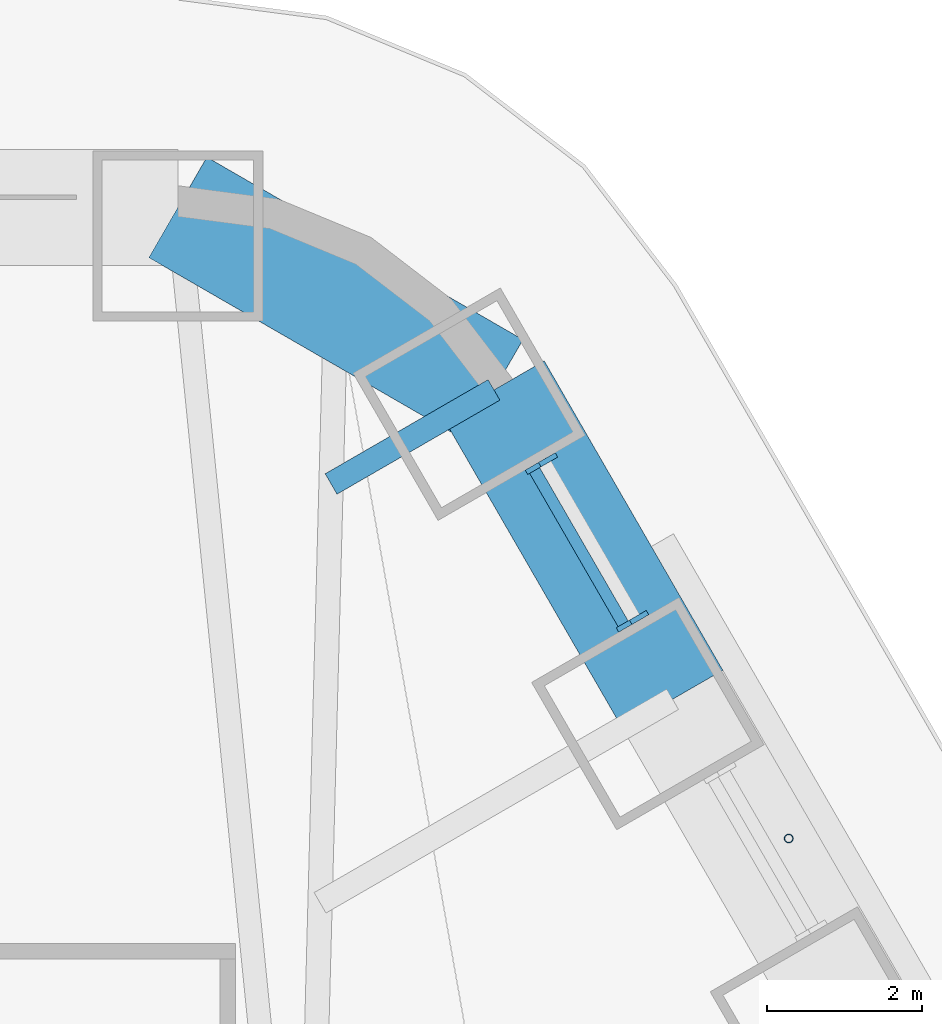
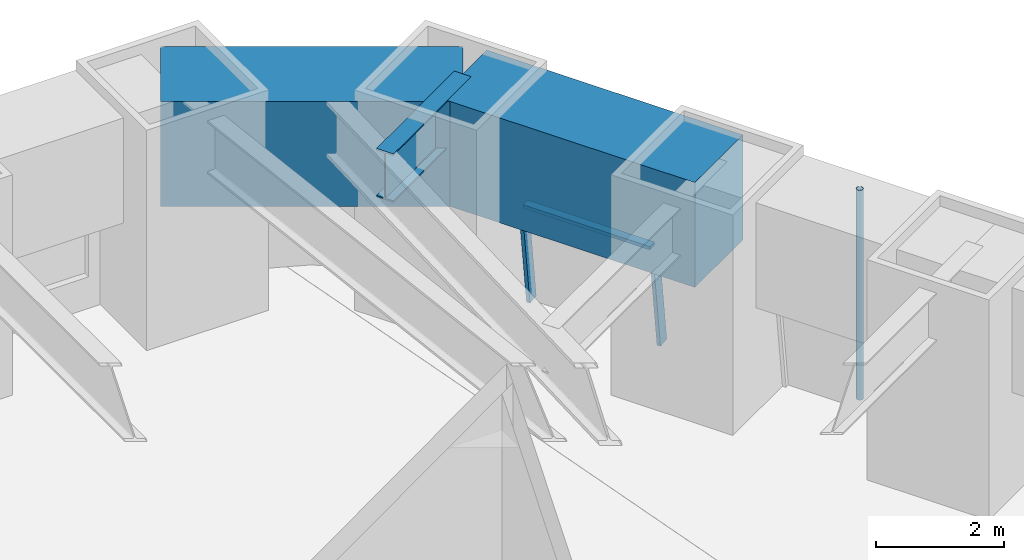
# One storey, part 12 of 20: 4 members, 3 beams, 1 element without a shape of its own.
"""IFC4 building model written with IfcOpenShell, lengths in metres."""

from ifc_helpers import new_model, si_unit, direction, frame, origin, origin_2d, place, context, subcontext, project, spatial, rectangle, hollow_circle, i_section, extrude, material, material_profile, profile_set, type_object, element, aggregate, save


model = new_model("IFC4")

# Units and contexts
model_context = context("Model", 3, precision=1e-05, world=origin(), true_north=direction((0.0, 1.0)))
body_context = subcontext(model_context, "Body", "Model", "MODEL_VIEW")
ifc_project = project(units=[si_unit("LENGTHUNIT", "METRE"), si_unit("AREAUNIT", "SQUARE_METRE"), si_unit("VOLUMEUNIT", "CUBIC_METRE"), si_unit("PLANEANGLEUNIT", "RADIAN"), si_unit("MASSUNIT", "GRAM", prefix="KILO")], contexts=[model_context])

# Site, building, storey
site_placement = place(None, origin())
site = spatial("IfcSite", under=ifc_project, at=site_placement, CompositionType="ELEMENT")
building_placement = place(site_placement, origin())
building = spatial("IfcBuilding", under=site, at=building_placement, Name="Tarfa Lantern Tower", CompositionType="ELEMENT")
storey_placement = place(building_placement, frame((0.0, 0.0, 215.5)))
storey = spatial("IfcBuildingStorey", under=building, at=storey_placement, Name="L48", CompositionType="ELEMENT", Elevation=215.5)

# Curtain wall, members
ifc_material_1 = material(Name="Aluminium framed curtain wall", Category="aluminium")
curtain_wall_type = type_object("IfcCurtainWallType", Name="CW3 CANTED GLAZING HIGH ZONE 2000", PredefinedType="USERDEFINED", material=ifc_material_1)
curtain_wall_placement = place(storey_placement, origin())
curtain_wall = element("IfcCurtainWall", 1, at=curtain_wall_placement, inside=storey, type_object=curtain_wall_type, Name="CW3 NE L48", ObjectType="CURTAIN WALL", PredefinedType="USERDEFINED")
ifc_material_2 = material(Name="Aluminium mullion", Category="aluminium")
ifc_material_profile_1 = material_profile(ifc_material_2, rectangle(XDim=0.06494140625, YDim=0.199951171875, at=origin_2d()), Name="AL MULLION 65x200")
ifc_profile_set_1 = profile_set([ifc_material_profile_1], Name="Aluminium mullion")
member_type_1 = type_object("IfcMemberType", Name="CWM1 MULLION 65x200", PredefinedType="MULLION", material=ifc_profile_set_1)
member_1_placement = place(storey_placement, frame((19.843017578125, 23.4306640625, 0.0), z_axis=(-0.107439978116, -0.062017213975, 0.992275423596), x_axis=(0.499919672301, -0.866071776036, 0.0)))
member_1 = element("IfcMember", 2, at=member_1_placement, type_object=member_type_1, Name="CW3 mullion 1", PredefinedType="MULLION", context=body_context, shape_type="SweptSolid", body=[
    extrude(rectangle(XDim=0.06494140625, YDim=0.199951171875, at=origin_2d()), origin(), (0.0, 0.0, 1.0), 2.015625),
])
member_2_placement = place(storey_placement, frame((18.666259765625, 25.46923828125, 0.0), z_axis=(-0.107439978116, -0.062017213975, 0.992275423596), x_axis=(0.499919672301, -0.866071776036, 0.0)))
member_2 = element("IfcMember", 3, at=member_2_placement, type_object=member_type_1, Name="CW3 mullion 2", PredefinedType="MULLION", context=body_context, shape_type="SweptSolid", body=[
    extrude(rectangle(XDim=0.06494140625, YDim=0.199951171875, at=origin_2d()), origin(), (0.0, 0.0, 1.0), 2.015625),
])
ifc_material_3 = material(Name="Aluminium transom", Category="aluminium")
ifc_material_profile_2 = material_profile(ifc_material_3, rectangle(XDim=0.14990234375, YDim=0.06494140625, at=origin_2d()), Name="AL TRANSOM 150x65")
ifc_profile_set_2 = profile_set([ifc_material_profile_2], Name="Aluminium transom")
member_type_2 = type_object("IfcMemberType", Name="CWT1 TRANSOM 150x65", PredefinedType="USERDEFINED", material=ifc_profile_set_2)
member_3_placement = place(storey_placement, frame((19.61376953125, 23.3359375, 1.967529296875), z_axis=(-0.499959451571, 0.866048813165, 0.0), x_axis=(-0.866048813165, -0.499959451571, 0.0)))
member_3 = element("IfcMember", 4, at=member_3_placement, type_object=member_type_2, Name="CW3 transom 1.2", ObjectType="TRANSOM", PredefinedType="USERDEFINED", context=body_context, shape_type="SweptSolid", body=[
    extrude(rectangle(XDim=0.14990234375, YDim=0.06494140625, at=origin_2d()), origin(), (0.0, 0.0, 1.0), 2.288818359375),
])
aggregate(curtain_wall, [member_1, member_2, member_3])

# Beams
ifc_material_4 = material(Name="Concrete C80/95", Category="concrete")
ifc_material_profile_3 = material_profile(ifc_material_4, rectangle(XDim=1.5, YDim=2.0, at=origin_2d()), Name="RC 1500x2000")
ifc_profile_set_3 = profile_set([ifc_material_profile_3], Name="Concrete C80/95")
beam_type_1 = type_object("IfcBeamType", Name="RB3 RC 1500x2000", PredefinedType="BEAM", material=ifc_profile_set_3)
beam_1_placement = place(storey_placement, frame((20.25341796875, 22.360107421875, 3.0), z_axis=(-0.499987836815, 0.866032426089, 0.0), x_axis=(-0.866032426089, -0.499987836815, 0.0)))
element("IfcBeam", 5, at=beam_1_placement, inside=storey, type_object=beam_type_1, Name="Edge beam NE5", PredefinedType="BEAM", context=body_context, shape_type="SweptSolid", body=[
    extrude(rectangle(XDim=1.5, YDim=2.0, at=origin_2d()), origin(), (0.0, 0.0, 1.0), 4.61865234375),
])
beam_2_placement = place(storey_placement, frame((17.944091796875, 26.360107421875, 3.0), z_axis=(-0.866038294681, 0.499977671647, 0.0), x_axis=(-0.499977671647, -0.866038294681, 0.0)))
element("IfcBeam", 6, at=beam_2_placement, inside=storey, type_object=beam_type_1, Name="Edge beam NE6", PredefinedType="BEAM", context=body_context, shape_type="SweptSolid", body=[
    extrude(rectangle(XDim=1.5, YDim=2.0, at=origin_2d()), origin(), (0.0, 0.0, 1.0), 4.719970703125),
])

# Member
ifc_material_5 = material(Name="Steel S355", Category="steel")
ifc_material_profile_4 = material_profile(ifc_material_5, hollow_circle(Radius=0.05712890625, WallThickness=0.00634765625, at=origin_2d()), Name="CHS114.3x6.3")
ifc_profile_set_4 = profile_set([ifc_material_profile_4], Name="Steel S355")
member_type_3 = type_object("IfcMemberType", Name="TR1 GREEN WALL TRELLIS CHS114.3x6.3", PredefinedType="USERDEFINED", material=ifc_profile_set_4)
member_4_placement = place(storey_placement, frame((21.754638671875, 20.56005859375, 0.0), z_axis=(0.0, 0.0, 1.0), x_axis=(1.0, 0.0, 0.0)))
element("IfcMember", 7, at=member_4_placement, inside=storey, type_object=member_type_3, Name="Trellis post NE 2", ObjectType="TRELLIS", PredefinedType="USERDEFINED", context=body_context, shape_type="SweptSolid", body=[
    extrude(hollow_circle(Radius=0.05712890625, WallThickness=0.00634765625, at=origin_2d()), origin(), (0.0, 0.0, 1.0), 4.0),
])

# Beam
ifc_material_6 = material(Name="Steel S460M", Category="steel")
ifc_material_profile_5 = material_profile(ifc_material_6, i_section(OverallWidth=0.305419921875, OverallDepth=0.91845703125, WebThickness=0.017333984375, FlangeThickness=0.02783203125, FilletRadius=0.01904296875, at=origin_2d()), Name="UB914x305x253")
ifc_profile_set_5 = profile_set([ifc_material_profile_5], Name="Steel S460M")
beam_type_2 = type_object("IfcBeamType", Name="UB914x305x253", PredefinedType="BEAM", material=ifc_profile_set_5)
beam_3_placement = place(storey_placement, frame((17.944091796875, 26.360107421875, 3.540771484375), z_axis=(-0.865980009423, -0.5000786171, 0.0), x_axis=(0.5000786171, -0.865980009423, 0.0)))
element("IfcBeam", 8, at=beam_3_placement, inside=storey, type_object=beam_type_2, Name="Floor beam NE6", PredefinedType="BEAM", context=body_context, shape_type="SweptSolid", body=[
    extrude(i_section(OverallWidth=0.305419921875, OverallDepth=0.91845703125, WebThickness=0.017333984375, FlangeThickness=0.02783203125, FilletRadius=0.01904296875, at=origin_2d()), origin(), (0.0, 0.0, 1.0), 2.4326171875),
])

save(model, "model.ifc")
